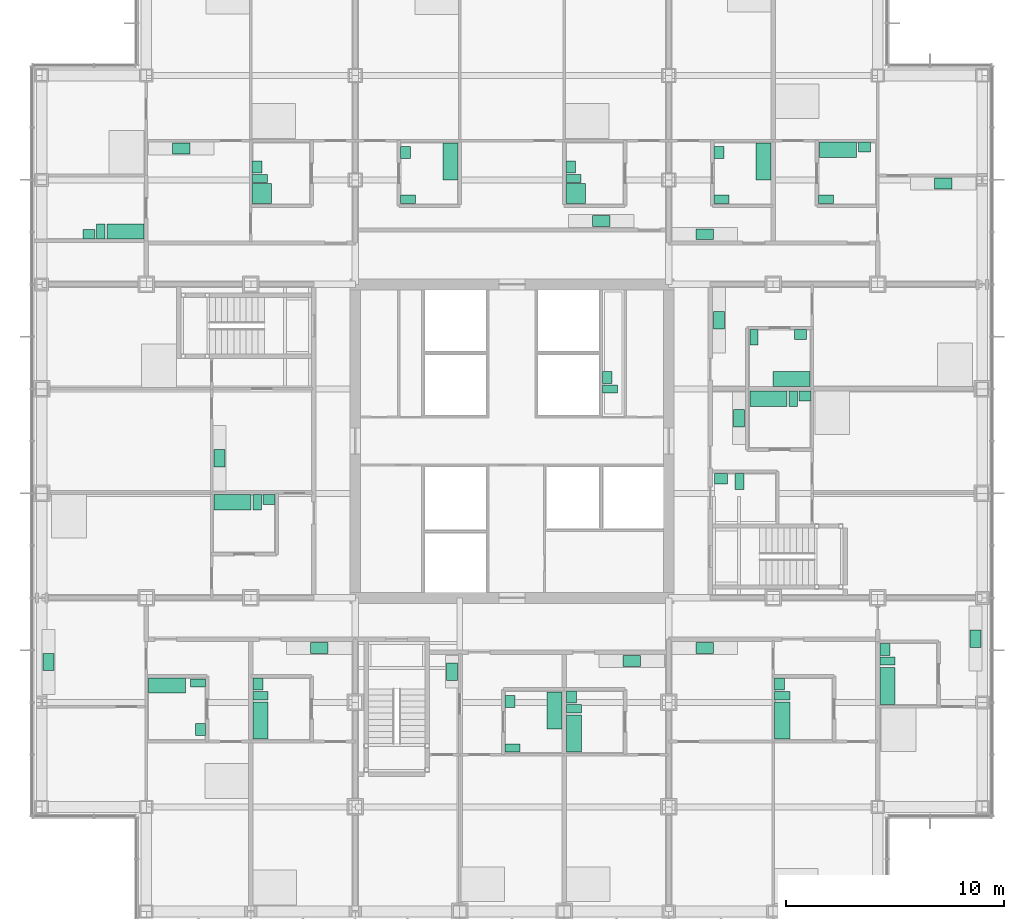
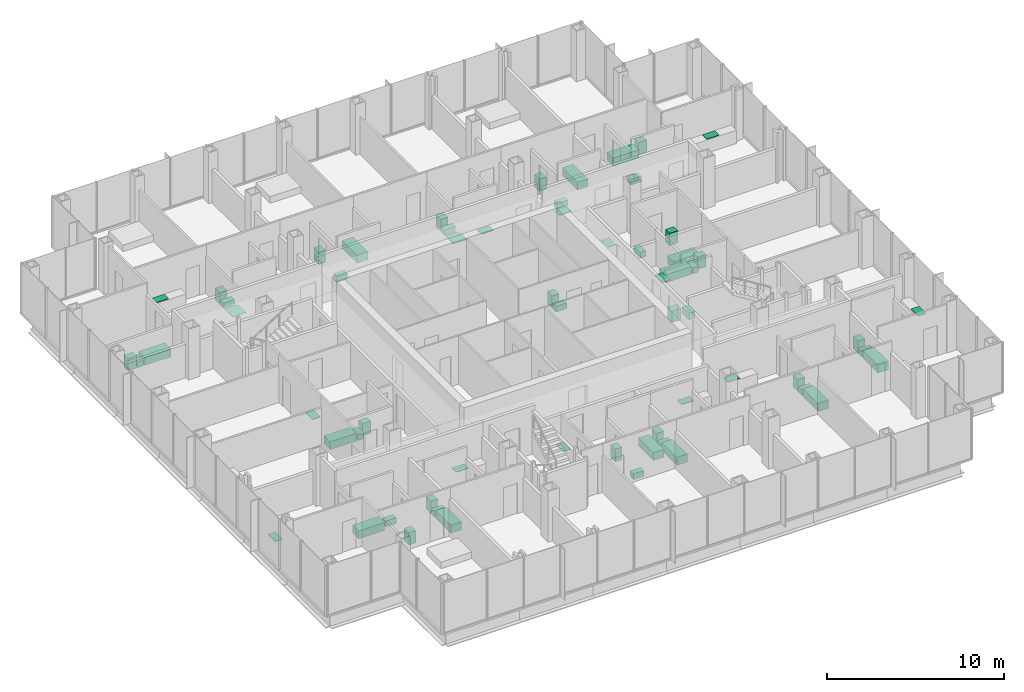
# One storey, part 20 of 21: 62 sanitary terminals.
"""IFC4 building model written with IfcOpenShell, lengths in metres."""

from ifc_helpers import new_model, si_unit, direction, frame, origin, origin_2d, place, context, subcontext, project, spatial, rectangle, extrude, material, type_object, element, save


model = new_model("IFC4")

# Units and contexts
model_context = context("Model", 3, precision=1e-05, world=origin(), true_north=direction((0.0, 1.0)))
body_context = subcontext(model_context, "Body", "Model", "MODEL_VIEW")
ifc_project = project(units=[si_unit("LENGTHUNIT", "METRE"), si_unit("AREAUNIT", "SQUARE_METRE"), si_unit("VOLUMEUNIT", "CUBIC_METRE"), si_unit("PLANEANGLEUNIT", "RADIAN"), si_unit("MASSUNIT", "GRAM", prefix="KILO")], contexts=[model_context])

# Site, building, storey
site_placement = place(None, origin())
site = spatial("IfcSite", under=ifc_project, at=site_placement, CompositionType="ELEMENT")
building_placement = place(site_placement, origin())
building = spatial("IfcBuilding", under=site, at=building_placement, Name="Kvirike Care Tower", CompositionType="ELEMENT")
storey_placement = place(building_placement, frame((0.0, 0.0, 41.0)))
storey = spatial("IfcBuildingStorey", under=building, at=storey_placement, Name="L10", CompositionType="ELEMENT", Elevation=41.0)

# Sanitary terminals
ifc_material_1 = material(Name="Vitreous china", Category="ceramic")
sanitary_terminal_type_1 = type_object("IfcSanitaryTerminalType", Name="ACCESSIBLE WASH BASIN 600 x 500", PredefinedType="WASHHANDBASIN", material=ifc_material_1)
sanitary_terminal_1_placement = place(storey_placement, frame((31.199951171875, 34.27294921875, 0.02001953125), z_axis=(0.0, 0.0, 1.0), x_axis=(1.0, 0.0, 0.0)))
element("IfcSanitaryTerminal", 1, at=sanitary_terminal_1_placement, inside=storey, type_object=sanitary_terminal_type_1, Name="Accessible wash basin L10-057", PredefinedType="WASHHANDBASIN", context=body_context, shape_type="SweptSolid", body=[
    extrude(rectangle(XDim=0.60009765625, YDim=0.5, at=origin_2d()), origin(), (0.0, 0.0, 1.0), 0.800048828125),
])
ifc_material_2 = material(Name="Vitreous china", Category="ceramic")
sanitary_terminal_type_2 = type_object("IfcSanitaryTerminalType", Name="ACCESSIBLE WC PAN 400 x 750", PredefinedType="TOILETPAN", material=ifc_material_2)
sanitary_terminal_2_placement = place(storey_placement, frame((32.050048828125, 34.14794921875, 0.02001953125), z_axis=(0.0, 0.0, 1.0), x_axis=(1.0, 0.0, 0.0)))
element("IfcSanitaryTerminal", 2, at=sanitary_terminal_2_placement, inside=storey, type_object=sanitary_terminal_type_2, Name="Accessible WC pan L10-057", PredefinedType="TOILETPAN", context=body_context, shape_type="SweptSolid", body=[
    extrude(rectangle(XDim=0.39990234375, YDim=0.75, at=origin_2d()), origin(), (0.0, 0.0, 1.0), 0.47998046875),
])
ifc_material_3 = material(Name="Enamelled steel", Category="steel")
sanitary_terminal_type_3 = type_object("IfcSanitaryTerminalType", Name="BATH 1700 x 700", PredefinedType="BATH", material=ifc_material_3)
for number, where, z_axis, x_axis, name in (
    (3, (5.760009765625, 24.77294921875, 0.02001953125), (0.0, 0.0, 1.0), (1.0, 0.0, 0.0), "Bath L10-004"),
    (4, (10.052001953125, 23.159912109375, 0.02001953125), (0.0, 0.0, 1.0), (0.0, 1.0, 0.0), "Bath L10-008"),
    (5, (8.760009765625, 33.18798828125, 0.02001953125), (0.0, 0.0, 1.0), (1.0, 0.0, 0.0), "Bath L10-015"),
    (6, (3.85009765625, 45.626953125, 0.02001953125), (0.0, 0.0, 1.0), (-1.0, 0.0, 0.0), "Bath L10-024"),
    (7, (23.548095703125, 23.625, 0.02001953125), (0.0, 0.0, 1.0), (0.0, -1.0, 0.0), "Bath L10-031"),
    (8, (24.451904296875, 22.56005859375, 0.02001953125), (0.0, 0.0, 1.0), (0.0, 1.0, 0.0), "Bath L10-035"),
    (9, (18.77294921875, 48.840087890625, 0.02001953125), (0.0, 0.0, 1.0), (0.0, -1.0, 0.0), "Bath L10-042"),
    (10, (34.011962890625, 23.159912109375, 0.02001953125), (0.0, 0.0, 1.0), (0.0, 1.0, 0.0), "Bath L10-047"),
    (11, (38.85205078125, 24.760009765625, 0.02001953125), (0.0, 0.0, 1.0), (0.0, 1.0, 0.0), "Bath L10-051"),
    (12, (33.375, 37.947998046875, 0.02001953125), (0.0, 0.0, 1.0), (1.0, 0.0, 0.0), "Bath L10-058"),
    (13, (34.43994140625, 38.85205078125, 0.02001953125), (0.0, 0.0, 1.0), (-1.0, 0.0, 0.0), "Bath L10-061"),
    (14, (36.574951171875, 49.387939453125, 0.02001953125), (0.0, 0.0, 1.0), (1.0, 0.0, 0.0), "Bath L10-066"),
    (15, (33.14794921875, 48.840087890625, 0.02001953125), (0.0, 0.0, 1.0), (0.0, -1.0, 0.0), "Bath L10-070"),
):
    element("IfcSanitaryTerminal", number, at=place(storey_placement, frame(where, z_axis=z_axis, x_axis=x_axis)), inside=storey, type_object=sanitary_terminal_type_3, Name=name, PredefinedType="BATH", context=body_context, shape_type="SweptSolid", body=[
        extrude(rectangle(XDim=1.699951171875, YDim=0.699951171875, at=origin_2d()), origin(), (0.0, 0.0, 1.0), 0.550048828125),
    ])
ifc_material_4 = material(Name="Stainless steel", Category="steel")
sanitary_terminal_type_4 = type_object("IfcSanitaryTerminalType", Name="KITCHEN SINK 800 x 500", PredefinedType="SINK", material=ifc_material_4)
for number, where, z_axis, x_axis, name in (
    (16, (0.302001953125, 25.8544921875, 0.89990234375), (0.0, 0.0, 1.0), (0.0, 1.0, 0.0), "Kitchen sink L10-005"),
    (17, (12.75, 26.498046875, 0.89990234375), (0.0, 0.0, 1.0), (1.0, 0.0, 0.0), "Kitchen sink L10-009"),
    (18, (8.162109375, 35.2099609375, 0.89990234375), (0.0, 0.0, 1.0), (0.0, 1.0, 0.0), "Kitchen sink L10-017"),
    (19, (6.409912109375, 49.43798828125, 0.89990234375), (0.0, 0.0, 1.0), (1.0, 0.0, 0.0), "Kitchen sink L10-026"),
    (20, (18.837890625, 25.39990234375, 0.89990234375), (0.0, 0.0, 1.0), (0.0, -1.0, 0.0), "Kitchen sink L10-032"),
    (21, (27.10009765625, 25.89794921875, 0.89990234375), (0.0, 0.0, 1.0), (1.0, 0.0, 0.0), "Kitchen sink L10-036"),
    (22, (25.699951171875, 46.10205078125, 0.89990234375), (0.0, 0.0, 1.0), (-1.0, 0.0, 0.0), "Kitchen sink L10-043"),
    (23, (30.449951171875, 26.498046875, 0.89990234375), (0.0, 0.0, 1.0), (1.0, 0.0, 0.0), "Kitchen sink L10-048"),
    (24, (42.89794921875, 26.929931640625, 0.89990234375), (0.0, 0.0, 1.0), (0.0, -1.0, 0.0), "Kitchen sink L10-052"),
    (25, (32.02294921875, 37.050048828125, 0.89990234375), (0.0, 0.0, 1.0), (0.0, -1.0, 0.0), "Kitchen sink L10-059"),
    (26, (31.10205078125, 41.550048828125, 0.89990234375), (0.0, 0.0, 1.0), (0.0, 1.0, 0.0), "Kitchen sink L10-062"),
    (27, (41.409912109375, 47.837890625, 0.89990234375), (0.0, 0.0, 1.0), (1.0, 0.0, 0.0), "Kitchen sink L10-067"),
    (28, (30.449951171875, 45.501953125, 0.89990234375), (0.0, 0.0, 1.0), (-1.0, 0.0, 0.0), "Kitchen sink L10-071"),
):
    element("IfcSanitaryTerminal", number, at=place(storey_placement, frame(where, z_axis=z_axis, x_axis=x_axis)), inside=storey, type_object=sanitary_terminal_type_4, Name=name, PredefinedType="SINK", context=body_context, shape_type="SweptSolid", body=[
        extrude(rectangle(XDim=0.800048828125, YDim=0.5, at=origin_2d()), origin(), (0.0, 0.0, 1.0), 0.030029296875),
    ])
ifc_material_5 = material(Name="Stainless steel", Category="steel")
sanitary_terminal_type_5 = type_object("IfcSanitaryTerminalType", Name="LEVEL-ACCESS SHOWER 900 x 900", PredefinedType="SHOWER", material=ifc_material_5)
for number, where, z_axis, x_axis, name in (
    (29, (10.112060546875, 47.375, 0.02001953125), (0.0, 0.0, 1.0), (0.0, 1.0, 0.0), "Level-access shower L10-023"),
    (30, (24.527099609375, 47.375, 0.02001953125), (0.0, 0.0, 1.0), (0.0, 1.0, 0.0), "Level-access shower L10-041"),
):
    element("IfcSanitaryTerminal", number, at=place(storey_placement, frame(where, z_axis=z_axis, x_axis=x_axis)), inside=storey, type_object=sanitary_terminal_type_5, Name=name, PredefinedType="SHOWER", context=body_context, shape_type="SweptSolid", body=[
        extrude(rectangle(XDim=0.89990234375, YDim=0.89990234375, at=origin_2d()), origin(), (0.0, 0.0, 1.0), 0.02001953125),
    ])
ifc_material_6 = material(Name="Vitreous china", Category="ceramic")
sanitary_terminal_type_6 = type_object("IfcSanitaryTerminalType", Name="WASH BASIN 550 x 450", PredefinedType="WASHHANDBASIN", material=ifc_material_6)
for number, where, z_axis, x_axis, name in (
    (31, (7.298095703125, 22.75, 0.02001953125), (0.0, 0.0, 1.0), (0.0, -1.0, 0.0), "Wash basin L10-004"),
    (32, (9.927001953125, 24.8349609375, 0.02001953125), (0.0, 0.0, 1.0), (0.0, 1.0, 0.0), "Wash basin L10-008"),
    (33, (10.43505859375, 33.31298828125, 0.02001953125), (0.0, 0.0, 1.0), (1.0, 0.0, 0.0), "Wash basin L10-015"),
    (34, (9.886962890625, 48.60009765625, 0.02001953125), (0.0, 0.0, 1.0), (0.0, 1.0, 0.0), "Wash basin L10-023"),
    (35, (2.175048828125, 45.501953125, 0.02001953125), (0.0, 0.0, 1.0), (-1.0, 0.0, 0.0), "Wash basin L10-024"),
    (36, (21.501953125, 24.034912109375, 0.02001953125), (0.0, 0.0, 1.0), (0.0, 1.0, 0.0), "Wash basin L10-031"),
    (37, (24.326904296875, 24.235107421875, 0.02001953125), (0.0, 0.0, 1.0), (0.0, 1.0, 0.0), "Wash basin L10-035"),
    (38, (24.302001953125, 48.60009765625, 0.02001953125), (0.0, 0.0, 1.0), (0.0, 1.0, 0.0), "Wash basin L10-041"),
    (39, (16.701904296875, 49.25, 0.02001953125), (0.0, 0.0, 1.0), (0.0, 1.0, 0.0), "Wash basin L10-042"),
    (40, (33.886962890625, 24.8349609375, 0.02001953125), (0.0, 0.0, 1.0), (0.0, 1.0, 0.0), "Wash basin L10-047"),
    (41, (38.72705078125, 26.43505859375, 0.02001953125), (0.0, 0.0, 1.0), (0.0, 1.0, 0.0), "Wash basin L10-051"),
    (42, (35.050048828125, 38.072998046875, 0.02001953125), (0.0, 0.0, 1.0), (1.0, 0.0, 0.0), "Wash basin L10-058"),
    (43, (34.85009765625, 40.89794921875, 0.02001953125), (0.0, 0.0, 1.0), (1.0, 0.0, 0.0), "Wash basin L10-061"),
    (44, (37.800048828125, 49.512939453125, 0.02001953125), (0.0, 0.0, 1.0), (1.0, 0.0, 0.0), "Wash basin L10-066"),
    (45, (31.10205078125, 49.25, 0.02001953125), (0.0, 0.0, 1.0), (0.0, 1.0, 0.0), "Wash basin L10-070"),
    (46, (25.97705078125, 38.925048828125, 0.02001953125), (0.0, 0.0, 1.0), (0.0, 1.0, 0.0), "Wash basin L10-079"),
):
    element("IfcSanitaryTerminal", number, at=place(storey_placement, frame(where, z_axis=z_axis, x_axis=x_axis)), inside=storey, type_object=sanitary_terminal_type_6, Name=name, PredefinedType="WASHHANDBASIN", context=body_context, shape_type="SweptSolid", body=[
        extrude(rectangle(XDim=0.550048828125, YDim=0.449951171875, at=origin_2d()), origin(), (0.0, 0.0, 1.0), 0.85009765625),
    ])
ifc_material_7 = material(Name="Vitreous china", Category="ceramic")
sanitary_terminal_type_7 = type_object("IfcSanitaryTerminalType", Name="WC PAN 380 x 700", PredefinedType="TOILETPAN", material=ifc_material_7)
for number, where, z_axis, x_axis, name in (
    (47, (7.173095703125, 24.885009765625, 0.02001953125), (0.0, 0.0, 1.0), (0.0, -1.0, 0.0), "WC pan L10-004"),
    (48, (10.052001953125, 24.300048828125, 0.02001953125), (0.0, 0.0, 1.0), (0.0, 1.0, 0.0), "WC pan L10-008"),
    (49, (9.89990234375, 33.18798828125, 0.02001953125), (0.0, 0.0, 1.0), (1.0, 0.0, 0.0), "WC pan L10-015"),
    (50, (10.011962890625, 48.06494140625, 0.02001953125), (0.0, 0.0, 1.0), (0.0, 1.0, 0.0), "WC pan L10-023"),
    (51, (2.7099609375, 45.626953125, 0.02001953125), (0.0, 0.0, 1.0), (-1.0, 0.0, 0.0), "WC pan L10-024"),
    (52, (21.626953125, 21.89990234375, 0.02001953125), (0.0, 0.0, 1.0), (0.0, 1.0, 0.0), "WC pan L10-031"),
    (53, (24.451904296875, 23.699951171875, 0.02001953125), (0.0, 0.0, 1.0), (0.0, 1.0, 0.0), "WC pan L10-035"),
    (54, (24.427001953125, 48.06494140625, 0.02001953125), (0.0, 0.0, 1.0), (0.0, 1.0, 0.0), "WC pan L10-041"),
    (55, (16.826904296875, 47.114990234375, 0.02001953125), (0.0, 0.0, 1.0), (0.0, 1.0, 0.0), "WC pan L10-042"),
    (56, (34.011962890625, 24.300048828125, 0.02001953125), (0.0, 0.0, 1.0), (0.0, 1.0, 0.0), "WC pan L10-047"),
    (57, (38.85205078125, 25.89990234375, 0.02001953125), (0.0, 0.0, 1.0), (0.0, 1.0, 0.0), "WC pan L10-051"),
    (58, (34.514892578125, 37.947998046875, 0.02001953125), (0.0, 0.0, 1.0), (1.0, 0.0, 0.0), "WC pan L10-058"),
    (59, (32.715087890625, 40.77294921875, 0.02001953125), (0.0, 0.0, 1.0), (1.0, 0.0, 0.0), "WC pan L10-061"),
    (60, (36.027099609375, 47.114990234375, 0.02001953125), (0.0, 0.0, 1.0), (0.0, 1.0, 0.0), "WC pan L10-066"),
    (61, (31.22705078125, 47.114990234375, 0.02001953125), (0.0, 0.0, 1.0), (0.0, 1.0, 0.0), "WC pan L10-070"),
    (62, (26.10205078125, 38.389892578125, 0.02001953125), (0.0, 0.0, 1.0), (0.0, 1.0, 0.0), "WC pan L10-079"),
):
    element("IfcSanitaryTerminal", number, at=place(storey_placement, frame(where, z_axis=z_axis, x_axis=x_axis)), inside=storey, type_object=sanitary_terminal_type_7, Name=name, PredefinedType="TOILETPAN", context=body_context, shape_type="SweptSolid", body=[
        extrude(rectangle(XDim=0.3798828125, YDim=0.699951171875, at=origin_2d()), origin(), (0.0, 0.0, 1.0), 0.39990234375),
    ])

save(model, "model.ifc")
